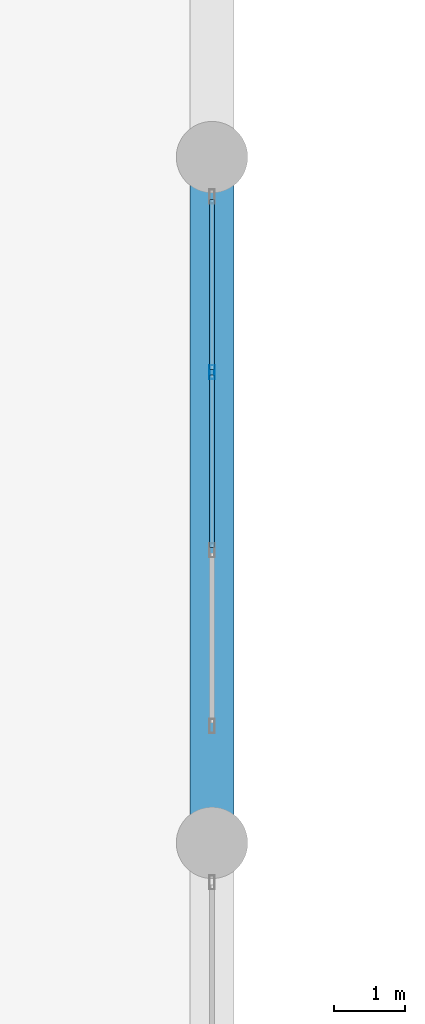
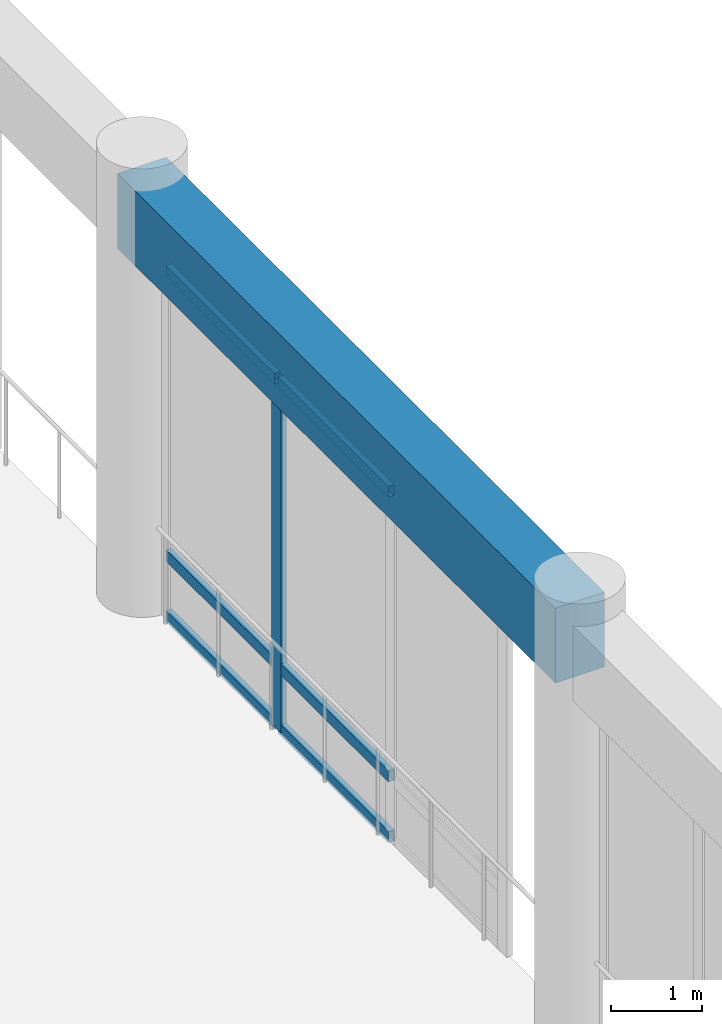
# One storey, part 20 of 87: 7 members, 1 beam, 1 element without a shape of its own.
"""IFC4 building model written with IfcOpenShell, lengths in metres."""

from ifc_helpers import new_model, si_unit, direction, frame, origin, origin_2d, place, context, subcontext, project, spatial, rectangle, hollow_rectangle, extrude, material, layer, layer_set, material_profile, profile_set, type_object, element, aggregate, save


model = new_model("IFC4")

# Units and contexts
model_context = context("Model", 3, precision=1e-05, world=origin(), true_north=direction((0.0, 1.0)))
body_context = subcontext(model_context, "Body", "Model", "MODEL_VIEW")
ifc_project = project(units=[si_unit("LENGTHUNIT", "METRE"), si_unit("AREAUNIT", "SQUARE_METRE"), si_unit("VOLUMEUNIT", "CUBIC_METRE"), si_unit("PLANEANGLEUNIT", "RADIAN"), si_unit("MASSUNIT", "GRAM", prefix="KILO")], contexts=[model_context])

# Site, building, storey
site_placement = place(None, origin())
site = spatial("IfcSite", under=ifc_project, at=site_placement, CompositionType="ELEMENT")
building_placement = place(site_placement, origin())
building = spatial("IfcBuilding", under=site, at=building_placement, Name="Nakhvara Creek Congress Hotel", CompositionType="ELEMENT")
storey_placement = place(building_placement, origin())
storey = spatial("IfcBuildingStorey", under=building, at=storey_placement, Name="L00", CompositionType="ELEMENT", Elevation=0.0)

# Beam
ifc_material_1 = material(Name="Concrete C50/60", Category="concrete")
ifc_material_profile_1 = material_profile(ifc_material_1, rectangle(XDim=0.6201171875, YDim=1.0, at=origin_2d()), Name="RC-BM 620x1000", Category="LoadBearing")
ifc_profile_set_1 = profile_set([ifc_material_profile_1], Name="Concrete C50/60")
beam_type = type_object("IfcBeamType", Name="BM-RC-620X1000", PredefinedType="BEAM", material=ifc_profile_set_1)
beam_placement = place(storey_placement, frame((76.800048828125, 52.800048828125, 5.199951171875), z_axis=(0.0, 1.0, 0.0), x_axis=(-1.0, 0.0, 0.0)))
element("IfcBeam", 1, at=beam_placement, inside=storey, type_object=beam_type, Name="Beam B16-L00-0821", PredefinedType="BEAM", context=body_context, shape_type="SweptSolid", body=[
    extrude(rectangle(XDim=0.6201171875, YDim=1.0, at=origin_2d()), origin(), (0.0, 0.0, 1.0), 9.599853515625),
])

# Curtain wall, members
ifc_material_2 = material(Name="Bronze-anodised aluminium AW-6063-T6 and double-silver low-E glass", Category="aluminium")
ifc_layer = layer(ifc_material_2, 0.199951171875)
ifc_layer_set = layer_set([ifc_layer], Name="Bronze-anodised aluminium AW-6063-T6 and double-silver low-E glass")
curtain_wall_type = type_object("IfcCurtainWallType", Name="CW-POD-STICK", PredefinedType="NOTDEFINED", material=ifc_layer_set)
curtain_wall_placement = place(storey_placement, origin())
curtain_wall = element("IfcCurtainWall", 2, at=curtain_wall_placement, inside=storey, type_object=curtain_wall_type, Name="Curtain Wall CW013", PredefinedType="NOTDEFINED")
ifc_material_3 = material(Name="Bronze-anodised aluminium AW-6063-T6", Category="aluminium")
ifc_material_profile_2 = material_profile(ifc_material_3, hollow_rectangle(XDim=0.074951171875, YDim=0.199951171875, WallThickness=0.0048828125, at=origin_2d()), Name="ALU-MULL 75x200x5", Category="LoadBearing")
ifc_profile_set_2 = profile_set([ifc_material_profile_2], Name="Bronze-anodised aluminium AW-6063-T6")
member_type_1 = type_object("IfcMemberType", Name="CW-MULL-200", PredefinedType="MULLION", material=ifc_profile_set_2)
member_1_placement = place(storey_placement, frame((76.800048828125, 59.389892578125, 0.0), z_axis=(0.0, 0.0, 1.0), x_axis=(1.0, 0.0, 0.0)))
member_1 = element("IfcMember", 3, at=member_1_placement, type_object=member_type_1, Name="CW013 mullion 2", PredefinedType="MULLION", context=body_context, shape_type="SweptSolid", body=[
    extrude(hollow_rectangle(XDim=0.074951171875, YDim=0.199951171875, WallThickness=0.0048828125, at=origin_2d()), origin(), (0.0, 0.0, 1.0), 4.69189453125),
])
ifc_material_profile_3 = material_profile(ifc_material_3, hollow_rectangle(XDim=0.074951171875, YDim=0.14990234375, WallThickness=0.00390625, at=origin_2d()), Name="ALU-TRAN 75x150x4", Category="LoadBearing")
ifc_profile_set_3 = profile_set([ifc_material_profile_3], Name="Bronze-anodised aluminium AW-6063-T6")
member_type_2 = type_object("IfcMemberType", Name="CW-TRAN-150", PredefinedType="USERDEFINED", material=ifc_profile_set_3)
member_2_placement = place(storey_placement, frame((76.800048828125, 61.81005859375, 0.03759765625), z_axis=(0.0, -1.0, 0.0), x_axis=(1.0, 0.0, 0.0)))
member_2 = element("IfcMember", 4, at=member_2_placement, type_object=member_type_2, Name="CW013 transom 1.1", ObjectType="TRANSOM", PredefinedType="USERDEFINED", context=body_context, shape_type="SweptSolid", body=[
    extrude(hollow_rectangle(XDim=0.074951171875, YDim=0.14990234375, WallThickness=0.00390625, at=origin_2d()), origin(), (0.0, 0.0, 1.0), 2.382568359375),
])
member_3_placement = place(storey_placement, frame((76.800048828125, 61.81005859375, 0.85009765625), z_axis=(0.0, -1.0, 0.0), x_axis=(1.0, 0.0, 0.0)))
member_3 = element("IfcMember", 5, at=member_3_placement, type_object=member_type_2, Name="CW013 transom 1.2", ObjectType="TRANSOM", PredefinedType="USERDEFINED", context=body_context, shape_type="SweptSolid", body=[
    extrude(hollow_rectangle(XDim=0.074951171875, YDim=0.14990234375, WallThickness=0.00390625, at=origin_2d()), origin(), (0.0, 0.0, 1.0), 2.382568359375),
])
member_4_placement = place(storey_placement, frame((76.800048828125, 61.81005859375, 4.654541015625), z_axis=(0.0, -1.0, 0.0), x_axis=(1.0, 0.0, 0.0)))
member_4 = element("IfcMember", 6, at=member_4_placement, type_object=member_type_2, Name="CW013 transom 1.3", ObjectType="TRANSOM", PredefinedType="USERDEFINED", context=body_context, shape_type="SweptSolid", body=[
    extrude(hollow_rectangle(XDim=0.074951171875, YDim=0.14990234375, WallThickness=0.00390625, at=origin_2d()), origin(), (0.0, 0.0, 1.0), 2.382568359375),
])
member_5_placement = place(storey_placement, frame((76.800048828125, 59.3525390625, 0.03759765625), z_axis=(0.0, -1.0, 0.0), x_axis=(1.0, 0.0, 0.0)))
member_5 = element("IfcMember", 7, at=member_5_placement, type_object=member_type_2, Name="CW013 transom 2.1", ObjectType="TRANSOM", PredefinedType="USERDEFINED", context=body_context, shape_type="SweptSolid", body=[
    extrude(hollow_rectangle(XDim=0.074951171875, YDim=0.14990234375, WallThickness=0.00390625, at=origin_2d()), origin(), (0.0, 0.0, 1.0), 2.419921875),
])
member_6_placement = place(storey_placement, frame((76.800048828125, 59.3525390625, 0.85009765625), z_axis=(0.0, -1.0, 0.0), x_axis=(1.0, 0.0, 0.0)))
member_6 = element("IfcMember", 8, at=member_6_placement, type_object=member_type_2, Name="CW013 transom 2.2", ObjectType="TRANSOM", PredefinedType="USERDEFINED", context=body_context, shape_type="SweptSolid", body=[
    extrude(hollow_rectangle(XDim=0.074951171875, YDim=0.14990234375, WallThickness=0.00390625, at=origin_2d()), origin(), (0.0, 0.0, 1.0), 2.419921875),
])
member_7_placement = place(storey_placement, frame((76.800048828125, 59.3525390625, 4.654541015625), z_axis=(0.0, -1.0, 0.0), x_axis=(1.0, 0.0, 0.0)))
member_7 = element("IfcMember", 9, at=member_7_placement, type_object=member_type_2, Name="CW013 transom 2.3", ObjectType="TRANSOM", PredefinedType="USERDEFINED", context=body_context, shape_type="SweptSolid", body=[
    extrude(hollow_rectangle(XDim=0.074951171875, YDim=0.14990234375, WallThickness=0.00390625, at=origin_2d()), origin(), (0.0, 0.0, 1.0), 2.419921875),
])
aggregate(curtain_wall, [member_1, member_2, member_3, member_4, member_5, member_6, member_7])

save(model, "model.ifc")
